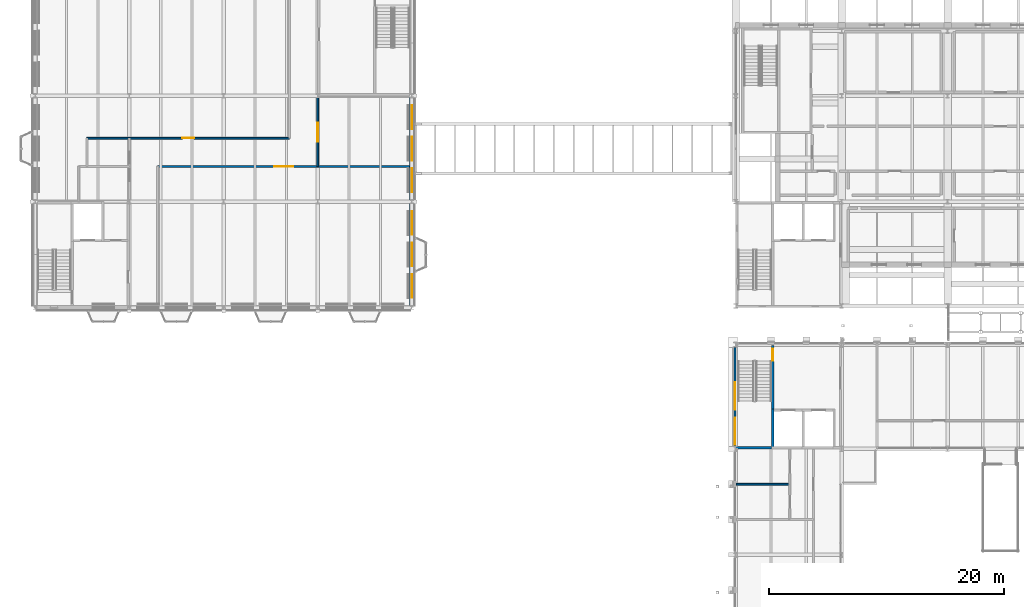
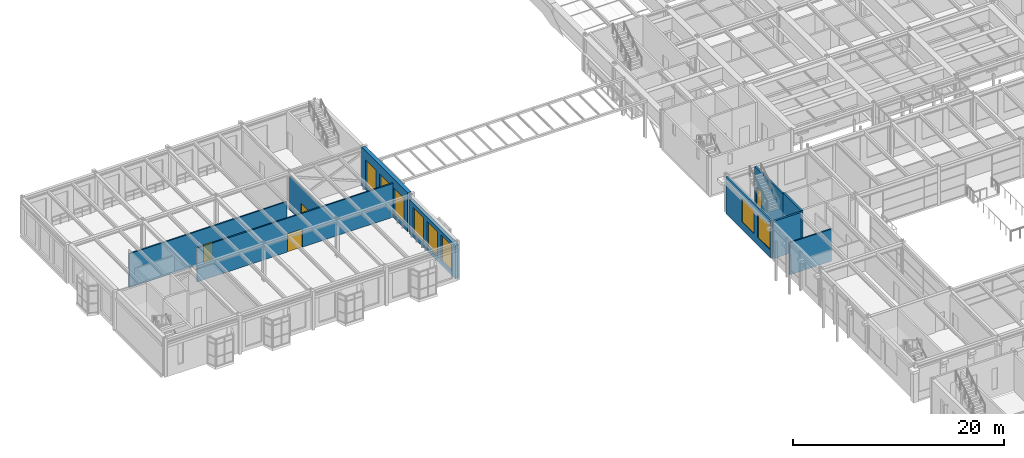
# One storey, part 100 of 153: 10 walls, 8 windows, 4 doors, 12 openings.
"""IFC4 building model written with IfcOpenShell, lengths in metres."""

from ifc_helpers import new_model, si_unit, direction, frame, frame_2d, origin, place, context, subcontext, project, spatial, rectangle, extrude, material, layer, layer_set, type_object, element, fill, save


model = new_model("IFC4")

# Units and contexts
model_context = context("Model", 3, precision=1e-05, world=origin(), true_north=direction((0.0, 1.0)))
body_context = subcontext(model_context, "Body", "Model", "MODEL_VIEW")
ifc_project = project(units=[si_unit("LENGTHUNIT", "METRE"), si_unit("AREAUNIT", "SQUARE_METRE"), si_unit("VOLUMEUNIT", "CUBIC_METRE"), si_unit("PLANEANGLEUNIT", "RADIAN"), si_unit("MASSUNIT", "GRAM", prefix="KILO")], contexts=[model_context])

# Site, building, storey
site_placement = place(None, origin())
site = spatial("IfcSite", under=ifc_project, at=site_placement, CompositionType="ELEMENT")
building_placement = place(site_placement, origin())
building = spatial("IfcBuilding", under=site, at=building_placement, Name="Kallimachos Central Library", CompositionType="ELEMENT")
storey_placement = place(building_placement, frame((0.0, 0.0, 5.39990234375)))
storey = spatial("IfcBuildingStorey", under=building, at=storey_placement, Name="L01", CompositionType="ELEMENT", Elevation=5.39990234375)

# Walls
ifc_material_1 = material(Name="Concrete C30/37", Category="concrete")
ifc_layer_1 = layer(ifc_material_1, 0.199951171875)
ifc_layer_set_1 = layer_set([ifc_layer_1], Name="Lift shaft wall 200")
wall_type_1 = type_object("IfcWallType", Name="Lift shaft wall 200", PredefinedType="SOLIDWALL", material=ifc_layer_set_1)
wall_1_placement = place(storey_placement, frame((68.64990234375, 75.0, 0.0), z_axis=(0.0, 0.0, 1.0), x_axis=(0.0, 1.0, 0.0)))
element("IfcWall", 1, at=wall_1_placement, inside=storey, type_object=wall_type_1, Name="V4-WAL-L01-003", PredefinedType="SOLIDWALL", context=body_context, shape_type="SweptSolid", body=[
    extrude(rectangle(XDim=3.39990234375, YDim=0.199951171875, at=frame_2d((1.699951171875, 0.0))), origin(), (0.0, 0.0, 1.0), 4.5),
])
ifc_material_2 = material(Name="Gypsum board on steel studs", Category="steel")
ifc_layer_2 = layer(ifc_material_2, 0.14990234375)
ifc_layer_set_2 = layer_set([ifc_layer_2], Name="Partition wall 150")
wall_type_2 = type_object("IfcWallType", Name="Partition wall 150", PredefinedType="PARTITIONING", material=ifc_layer_set_2)
wall_2_placement = place(storey_placement, frame((65.550048828125, 72.0, 0.0), z_axis=(0.0, 0.0, 1.0), x_axis=(1.0, 0.0, 0.0)))
element("IfcWall", 2, at=wall_2_placement, inside=storey, type_object=wall_type_2, Name="L01 partition", PredefinedType="PARTITIONING", context=body_context, shape_type="SweptSolid", body=[
    extrude(rectangle(XDim=4.550048828125, YDim=0.14990234375, at=frame_2d((2.27490234375, 0.0))), origin(), (0.0, 0.0, 1.0), 3.7001953125),
])

# Wall, opening, door
wall_3_placement = place(storey_placement, frame((10.39990234375, 101.39990234375, 0.0), z_axis=(0.0, 0.0, 1.0), x_axis=(1.0, 0.0, 0.0)))
wall_3 = element("IfcWall", 3, at=wall_3_placement, inside=storey, type_object=wall_type_2, Name="Partition L01", PredefinedType="PARTITIONING", context=body_context, shape_type="SweptSolid", body=[
    extrude(rectangle(XDim=17.2001953125, YDim=0.14990234375, at=frame_2d((8.60009765625, 0.0))), origin(), (0.0, 0.0, 1.0), 3.91015625),
])
opening_1_placement = place(wall_3_placement, frame((8.110107421875, 0.0, 0.0)))
opening_1 = element("IfcOpeningElement", 4, at=opening_1_placement, cuts=wall_3, Name="Opening D304", PredefinedType="OPENING", context=body_context, shape_type="SweptSolid", body=[
    extrude(rectangle(XDim=1.0, YDim=2.10009765625, at=frame_2d((0.5, 1.050048828125))), frame((0.0, 0.0849609375, 0.0), z_axis=(0.0, -1.0, 0.0), x_axis=(1.0, 0.0, 0.0)), (0.0, 0.0, 1.0), 0.169921875),
])
ifc_material_3 = material(Name="Timber", Category="wood")
door_type_1 = type_object("IfcDoorType", Name="Single leaf door 1000 x 2100, EI2 30", OperationType="NOTDEFINED", PredefinedType="DOOR", material=ifc_material_3)
door_1_placement = place(opening_1_placement, frame((1.0, 0.0, 0.0), z_axis=(0.0, 0.0, 1.0), x_axis=(-1.0, 0.0, 0.0)))
door_1 = element("IfcDoor", 5, at=door_1_placement, inside=storey, type_object=door_type_1, Name="Door to Picture Book Stacks", OperationType="SINGLE_SWING_LEFT", OverallHeight=2.10009765625, OverallWidth=1.0, PredefinedType="DOOR", context=body_context, shape_type="SweptSolid", body=[
    extrude(rectangle(XDim=1.0, YDim=2.10009765625, at=frame_2d((0.5, 1.050048828125))), frame((0.0, 0.02490234375, 0.0), z_axis=(0.0, -1.0, 0.0), x_axis=(1.0, 0.0, 0.0)), (0.0, 0.0, 1.0), 0.050048828125),
])
fill(opening_1, door_1)

wall_4_placement = place(storey_placement, frame((16.39990234375, 99.0, 0.0), z_axis=(0.0, 0.0, 1.0), x_axis=(1.0, 0.0, 0.0)))
wall_4 = element("IfcWall", 6, at=wall_4_placement, inside=storey, type_object=wall_type_2, Name="Partition L01", PredefinedType="PARTITIONING", context=body_context, shape_type="SweptSolid", body=[
    extrude(rectangle(XDim=21.400146484375, YDim=0.14990234375, at=frame_2d((10.7001953125, 0.0))), origin(), (0.0, 0.0, 1.0), 3.91015625),
])
opening_2_placement = place(wall_4_placement, frame((9.89990234375, 0.0, 0.0)))
opening_2 = element("IfcOpeningElement", 7, at=opening_2_placement, cuts=wall_4, Name="Opening D303", PredefinedType="OPENING", context=body_context, shape_type="SweptSolid", body=[
    extrude(rectangle(XDim=1.60009765625, YDim=2.10009765625, at=frame_2d((0.800048828125, 1.050048828125))), frame((0.0, 0.0849609375, 0.0), z_axis=(0.0, -1.0, 0.0), x_axis=(1.0, 0.0, 0.0)), (0.0, 0.0, 1.0), 0.169921875),
])
ifc_material_4 = material(Name="Timber door", Category="wood")
door_type_2 = type_object("IfcDoorType", Name="Double leaf door 1600 x 2100", OperationType="DOUBLE_DOOR_SINGLE_SWING", PredefinedType="DOOR", material=ifc_material_4)
door_2_placement = place(opening_2_placement, origin())
door_2 = element("IfcDoor", 8, at=door_2_placement, inside=storey, type_object=door_type_2, Name="Door to Story Hall", OperationType="DOUBLE_DOOR_SINGLE_SWING", OverallHeight=2.10009765625, OverallWidth=1.60009765625, PredefinedType="DOOR", context=body_context, shape_type="SweptSolid", body=[
    extrude(rectangle(XDim=1.60009765625, YDim=2.10009765625, at=frame_2d((0.800048828125, 1.050048828125))), frame((0.0, 0.02490234375, 0.0), z_axis=(0.0, -1.0, 0.0), x_axis=(1.0, 0.0, 0.0)), (0.0, 0.0, 1.0), 0.050048828125),
])
fill(opening_2, door_2)

wall_5_placement = place(storey_placement, frame((30.0, 99.0, 0.0), z_axis=(0.0, 0.0, 1.0), x_axis=(0.0, 1.0, 0.0)))
wall_5 = element("IfcWall", 9, at=wall_5_placement, inside=storey, type_object=wall_type_2, Name="Partition L01", PredefinedType="PARTITIONING", context=body_context, shape_type="SweptSolid", body=[
    extrude(rectangle(XDim=5.85009765625, YDim=0.14990234375, at=frame_2d((2.925048828125, 0.0))), origin(), (0.0, 0.0, 1.0), 3.91015625),
])
opening_3_placement = place(wall_5_placement, frame((2.10009765625, 0.0, 0.0)))
opening_3 = element("IfcOpeningElement", 10, at=opening_3_placement, cuts=wall_5, Name="Opening D305", PredefinedType="OPENING", context=body_context, shape_type="SweptSolid", body=[
    extrude(rectangle(XDim=1.60009765625, YDim=2.10009765625, at=frame_2d((0.800048828125, 1.050048828125))), frame((0.0, 0.0849609375, 0.0), z_axis=(0.0, -1.0, 0.0), x_axis=(1.0, 0.0, 0.0)), (0.0, 0.0, 1.0), 0.169921875),
])
door_3_placement = place(opening_3_placement, origin())
door_3 = element("IfcDoor", 11, at=door_3_placement, inside=storey, type_object=door_type_2, Name="Door to Children's Reading Room 3", OperationType="DOUBLE_DOOR_SINGLE_SWING", OverallHeight=2.10009765625, OverallWidth=1.60009765625, PredefinedType="DOOR", context=body_context, shape_type="SweptSolid", body=[
    extrude(rectangle(XDim=1.60009765625, YDim=2.10009765625, at=frame_2d((0.800048828125, 1.050048828125))), frame((0.0, 0.02490234375, 0.0), z_axis=(0.0, -1.0, 0.0), x_axis=(1.0, 0.0, 0.0)), (0.0, 0.0, 1.0), 0.050048828125),
])
fill(opening_3, door_3)

# Wall
ifc_material_5 = material(Name="Concrete C35/45", Category="concrete")
ifc_layer_3 = layer(ifc_material_5, 0.199951171875)
ifc_layer_set_3 = layer_set([ifc_layer_3], Name="Shear core wall 200, internal")
wall_type_3 = type_object("IfcWallType", Name="Shear core wall 200, internal", PredefinedType="SHEAR", material=ifc_layer_set_3)
wall_6_placement = place(storey_placement, frame((65.5, 75.10009765625, 0.0), z_axis=(0.0, 0.0, 1.0), x_axis=(1.0, 0.0, 0.0)))
element("IfcWall", 12, at=wall_6_placement, inside=storey, type_object=wall_type_3, Name="L01 core wall V4-NW S", PredefinedType="SHEAR", context=body_context, shape_type="SweptSolid", body=[
    extrude(rectangle(XDim=3.050048828125, YDim=0.199951171875, at=frame_2d((1.52490234375, 0.0))), origin(), (0.0, 0.0, 1.0), 4.300048828125),
])

# Wall, opening, door
wall_7_placement = place(storey_placement, frame((68.64990234375, 78.39990234375, 0.0), z_axis=(0.0, 0.0, 1.0), x_axis=(0.0, 1.0, 0.0)))
wall_7 = element("IfcWall", 13, at=wall_7_placement, inside=storey, type_object=wall_type_3, Name="L01 core wall V4-NW M", PredefinedType="SHEAR", context=body_context, shape_type="SweptSolid", body=[
    extrude(rectangle(XDim=5.400146484375, YDim=0.199951171875, at=frame_2d((2.7001953125, 0.0))), origin(), (0.0, 0.0, 1.0), 4.300048828125),
])
opening_4_placement = place(wall_7_placement, frame((4.10009765625, 0.0, 0.0)))
opening_4 = element("IfcOpeningElement", 14, at=opening_4_placement, cuts=wall_7, Name="Opening D152", PredefinedType="OPENING", context=body_context, shape_type="SweptSolid", body=[
    extrude(rectangle(XDim=1.0, YDim=2.10009765625, at=frame_2d((0.5, 1.050048828125))), frame((0.0, 0.10986328125, 0.0), z_axis=(0.0, -1.0, 0.0), x_axis=(1.0, 0.0, 0.0)), (0.0, 0.0, 1.0), 0.219970703125),
])
ifc_material_6 = material(Name="Timber", Category="wood")
door_type_3 = type_object("IfcDoorType", Name="Single leaf door 1000 x 2100, EI2 90", OperationType="NOTDEFINED", PredefinedType="DOOR", material=ifc_material_6)
door_4_placement = place(opening_4_placement, origin())
door_4 = element("IfcDoor", 15, at=door_4_placement, inside=storey, type_object=door_type_3, Name="L01 core door V4-NW", OperationType="SINGLE_SWING_RIGHT", OverallHeight=2.10009765625, OverallWidth=1.0, PredefinedType="DOOR", context=body_context, shape_type="SweptSolid", body=[
    extrude(rectangle(XDim=1.0, YDim=2.10009765625, at=frame_2d((0.5, 1.050048828125))), frame((0.0, 0.02490234375, 0.0), z_axis=(0.0, -1.0, 0.0), x_axis=(1.0, 0.0, 0.0)), (0.0, 0.0, 1.0), 0.050048828125),
])
fill(opening_4, door_4)

# Wall, openings, windows
ifc_material_7 = material(Name="Pentelic marble cladding on insulated brick masonry", Category="masonry")
ifc_layer_4 = layer(ifc_material_7, 0.39990234375)
ifc_layer_set_4 = layer_set([ifc_layer_4], Name="Stone cladding wall 400, unrated")
wall_type_4 = type_object("IfcWallType", Name="Stone cladding wall 400, unrated", PredefinedType="SOLIDWALL", material=ifc_layer_set_4)
wall_8_placement = place(storey_placement, frame((38.0, 87.14990234375, 0.0), z_axis=(0.0, 0.0, 1.0), x_axis=(0.0, 1.0, 0.0)))
wall_8 = element("IfcWall", 16, at=wall_8_placement, inside=storey, type_object=wall_type_4, Name="Stone wall E1 L01", PredefinedType="SOLIDWALL", context=body_context, shape_type="SweptSolid", body=[
    extrude(rectangle(XDim=8.7001953125, YDim=0.39990234375, at=frame_2d((4.35009765625, 0.0))), origin(), (0.0, 0.0, 1.0), 3.880126953125),
])
opening_5_placement = place(wall_8_placement, frame((0.675048828125, 0.0, 0.449951171875)))
opening_5 = element("IfcOpeningElement", 17, at=opening_5_placement, cuts=wall_8, Name="Opening WN246", PredefinedType="OPENING", context=body_context, shape_type="SweptSolid", body=[
    extrude(rectangle(XDim=2.0, YDim=3.0, at=frame_2d((1.0, 1.5))), frame((0.0, 0.2099609375, 0.0), z_axis=(0.0, -1.0, 0.0), x_axis=(1.0, 0.0, 0.0)), (0.0, 0.0, 1.0), 0.419921875),
])
opening_6_placement = place(wall_8_placement, frame((3.35009765625, 0.0, 0.449951171875)))
opening_6 = element("IfcOpeningElement", 18, at=opening_6_placement, cuts=wall_8, Name="Opening WN247", PredefinedType="OPENING", context=body_context, shape_type="SweptSolid", body=[
    extrude(rectangle(XDim=2.0, YDim=3.0, at=frame_2d((1.0, 1.5))), frame((0.0, 0.2099609375, 0.0), z_axis=(0.0, -1.0, 0.0), x_axis=(1.0, 0.0, 0.0)), (0.0, 0.0, 1.0), 0.419921875),
])
opening_7_placement = place(wall_8_placement, frame((6.02490234375, 0.0, 0.449951171875)))
opening_7 = element("IfcOpeningElement", 19, at=opening_7_placement, cuts=wall_8, Name="Opening WN248", PredefinedType="OPENING", context=body_context, shape_type="SweptSolid", body=[
    extrude(rectangle(XDim=2.0, YDim=3.0, at=frame_2d((1.0, 1.5))), frame((0.0, 0.2099609375, 0.0), z_axis=(0.0, -1.0, 0.0), x_axis=(1.0, 0.0, 0.0)), (0.0, 0.0, 1.0), 0.419921875),
])
ifc_material_8 = material(Name="Laminated safety glass in painted steel frame", Category="steel")
window_type_1 = type_object("IfcWindowType", Name="Window 2000 x 3000", PartitioningType="SINGLE_PANEL", PredefinedType="WINDOW", material=ifc_material_8)
window_1_placement = place(opening_5_placement, origin())
window_1 = element("IfcWindow", 20, at=window_1_placement, inside=storey, type_object=window_type_1, Name="V2-WIN-L01-029", OverallHeight=3.0, OverallWidth=2.0, PartitioningType="SINGLE_PANEL", PredefinedType="WINDOW", context=body_context, shape_type="SweptSolid", body=[
    extrude(rectangle(XDim=2.0, YDim=3.0, at=frame_2d((1.0, 1.5))), frame((0.0, 0.030029296875, 0.0), z_axis=(0.0, -1.0, 0.0), x_axis=(1.0, 0.0, 0.0)), (0.0, 0.0, 1.0), 0.06005859375),
])
fill(opening_5, window_1)
window_2_placement = place(opening_6_placement, origin())
window_2 = element("IfcWindow", 21, at=window_2_placement, inside=storey, type_object=window_type_1, Name="V2-WIN-L01-030", OverallHeight=3.0, OverallWidth=2.0, PartitioningType="SINGLE_PANEL", PredefinedType="WINDOW", context=body_context, shape_type="SweptSolid", body=[
    extrude(rectangle(XDim=2.0, YDim=3.0, at=frame_2d((1.0, 1.5))), frame((0.0, 0.030029296875, 0.0), z_axis=(0.0, -1.0, 0.0), x_axis=(1.0, 0.0, 0.0)), (0.0, 0.0, 1.0), 0.06005859375),
])
fill(opening_6, window_2)
window_3_placement = place(opening_7_placement, origin())
window_3 = element("IfcWindow", 22, at=window_3_placement, inside=storey, type_object=window_type_1, Name="V2-WIN-L01-031", OverallHeight=3.0, OverallWidth=2.0, PartitioningType="SINGLE_PANEL", PredefinedType="WINDOW", context=body_context, shape_type="SweptSolid", body=[
    extrude(rectangle(XDim=2.0, YDim=3.0, at=frame_2d((1.0, 1.5))), frame((0.0, 0.030029296875, 0.0), z_axis=(0.0, -1.0, 0.0), x_axis=(1.0, 0.0, 0.0)), (0.0, 0.0, 1.0), 0.06005859375),
])
fill(opening_7, window_3)

ifc_material_9 = material(Name="Pentelic marble cladding on insulated brick masonry", Category="masonry")
ifc_layer_5 = layer(ifc_material_9, 0.39990234375)
ifc_layer_set_5 = layer_set([ifc_layer_5], Name="Stone cladding wall 400, unrated, load-bearing")
wall_type_5 = type_object("IfcWallType", Name="Stone cladding wall 400, unrated, load-bearing", PredefinedType="SOLIDWALL", material=ifc_layer_set_5)
wall_9_placement = place(storey_placement, frame((38.0, 96.14990234375, 0.0), z_axis=(0.0, 0.0, 1.0), x_axis=(0.0, 1.0, 0.0)))
wall_9 = element("IfcWall", 23, at=wall_9_placement, inside=storey, type_object=wall_type_5, Name="Stone wall E2 L01", PredefinedType="SOLIDWALL", context=body_context, shape_type="SweptSolid", body=[
    extrude(rectangle(XDim=8.7001953125, YDim=0.39990234375, at=frame_2d((4.35009765625, 0.0))), origin(), (0.0, 0.0, 1.0), 4.5),
])
opening_8_placement = place(wall_9_placement, frame((0.675048828125, 0.0, 0.449951171875)))
opening_8 = element("IfcOpeningElement", 24, at=opening_8_placement, cuts=wall_9, Name="Opening WN254", PredefinedType="OPENING", context=body_context, shape_type="SweptSolid", body=[
    extrude(rectangle(XDim=2.0, YDim=3.0, at=frame_2d((1.0, 1.5))), frame((0.0, 0.2099609375, 0.0), z_axis=(0.0, -1.0, 0.0), x_axis=(1.0, 0.0, 0.0)), (0.0, 0.0, 1.0), 0.419921875),
])
opening_9_placement = place(wall_9_placement, frame((3.35009765625, 0.0, 0.449951171875)))
opening_9 = element("IfcOpeningElement", 25, at=opening_9_placement, cuts=wall_9, Name="Opening WN255", PredefinedType="OPENING", context=body_context, shape_type="SweptSolid", body=[
    extrude(rectangle(XDim=2.0, YDim=3.0, at=frame_2d((1.0, 1.5))), frame((0.0, 0.2099609375, 0.0), z_axis=(0.0, -1.0, 0.0), x_axis=(1.0, 0.0, 0.0)), (0.0, 0.0, 1.0), 0.419921875),
])
opening_10_placement = place(wall_9_placement, frame((6.02490234375, 0.0, 0.449951171875)))
opening_10 = element("IfcOpeningElement", 26, at=opening_10_placement, cuts=wall_9, Name="Opening WN256", PredefinedType="OPENING", context=body_context, shape_type="SweptSolid", body=[
    extrude(rectangle(XDim=2.0, YDim=3.0, at=frame_2d((1.0, 1.5))), frame((0.0, 0.2099609375, 0.0), z_axis=(0.0, -1.0, 0.0), x_axis=(1.0, 0.0, 0.0)), (0.0, 0.0, 1.0), 0.419921875),
])
window_4_placement = place(opening_8_placement, origin())
window_4 = element("IfcWindow", 27, at=window_4_placement, inside=storey, type_object=window_type_1, Name="V2-WIN-L01-032", OverallHeight=3.0, OverallWidth=2.0, PartitioningType="SINGLE_PANEL", PredefinedType="WINDOW", context=body_context, shape_type="SweptSolid", body=[
    extrude(rectangle(XDim=2.0, YDim=3.0, at=frame_2d((1.0, 1.5))), frame((0.0, 0.030029296875, 0.0), z_axis=(0.0, -1.0, 0.0), x_axis=(1.0, 0.0, 0.0)), (0.0, 0.0, 1.0), 0.06005859375),
])
fill(opening_8, window_4)
window_5_placement = place(opening_9_placement, origin())
window_5 = element("IfcWindow", 28, at=window_5_placement, inside=storey, type_object=window_type_1, Name="V2-WIN-L01-033", OverallHeight=3.0, OverallWidth=2.0, PartitioningType="SINGLE_PANEL", PredefinedType="WINDOW", context=body_context, shape_type="SweptSolid", body=[
    extrude(rectangle(XDim=2.0, YDim=3.0, at=frame_2d((1.0, 1.5))), frame((0.0, 0.030029296875, 0.0), z_axis=(0.0, -1.0, 0.0), x_axis=(1.0, 0.0, 0.0)), (0.0, 0.0, 1.0), 0.06005859375),
])
fill(opening_9, window_5)
window_6_placement = place(opening_10_placement, origin())
window_6 = element("IfcWindow", 29, at=window_6_placement, inside=storey, type_object=window_type_1, Name="V2-WIN-L01-034", OverallHeight=3.0, OverallWidth=2.0, PartitioningType="SINGLE_PANEL", PredefinedType="WINDOW", context=body_context, shape_type="SweptSolid", body=[
    extrude(rectangle(XDim=2.0, YDim=3.0, at=frame_2d((1.0, 1.5))), frame((0.0, 0.030029296875, 0.0), z_axis=(0.0, -1.0, 0.0), x_axis=(1.0, 0.0, 0.0)), (0.0, 0.0, 1.0), 0.06005859375),
])
fill(opening_10, window_6)

ifc_material_10 = material(Name="Brick masonry with Pentelic marble cladding", Category="masonry")
ifc_layer_6 = layer(ifc_material_10, 0.199951171875)
ifc_layer_set_6 = layer_set([ifc_layer_6], Name="Stone-clad masonry wall 200, load-bearing, EI 120")
wall_type_6 = type_object("IfcWallType", Name="Stone-clad masonry wall 200, load-bearing, EI 120", PredefinedType="SOLIDWALL", material=ifc_layer_set_6)
wall_10_placement = place(storey_placement, frame((65.446533203125, 75.216064453125, 0.0), z_axis=(0.0, 0.0, 1.0), x_axis=(0.0, 1.0, 0.0)))
wall_10 = element("IfcWall", 30, at=wall_10_placement, inside=storey, type_object=wall_type_6, Name="V4-WAL-L01-028", PredefinedType="SOLIDWALL", context=body_context, shape_type="SweptSolid", body=[
    extrude(rectangle(XDim=8.41796875, YDim=0.199951171875, at=frame_2d((4.208984375, 0.0))), origin(), (0.0, 0.0, 1.0), 4.300048828125),
])
opening_11_placement = place(wall_10_placement, frame((0.134033203125, 0.0, 0.89990234375)))
opening_11 = element("IfcOpeningElement", 31, at=opening_11_placement, cuts=wall_10, Name="Opening WN268", PredefinedType="OPENING", context=body_context, shape_type="SweptSolid", body=[
    extrude(rectangle(XDim=2.300048828125, YDim=2.699951171875, at=frame_2d((1.14990234375, 1.35009765625))), frame((0.0, 0.10986328125, 0.0), z_axis=(0.0, -1.0, 0.0), x_axis=(1.0, 0.0, 0.0)), (0.0, 0.0, 1.0), 0.219970703125),
])
opening_12_placement = place(wall_10_placement, frame((3.134033203125, 0.0, 0.89990234375)))
opening_12 = element("IfcOpeningElement", 32, at=opening_12_placement, cuts=wall_10, Name="Opening WN268", PredefinedType="OPENING", context=body_context, shape_type="SweptSolid", body=[
    extrude(rectangle(XDim=2.300048828125, YDim=2.699951171875, at=frame_2d((1.14990234375, 1.35009765625))), frame((0.0, 0.10986328125, 0.0), z_axis=(0.0, -1.0, 0.0), x_axis=(1.0, 0.0, 0.0)), (0.0, 0.0, 1.0), 0.219970703125),
])
ifc_material_11 = material(Name="Anodised aluminium and laminated glass", Category="aluminium")
window_type_2 = type_object("IfcWindowType", Name="Window 2300 x 2700, EI 120", PartitioningType="DOUBLE_PANEL_VERTICAL", PredefinedType="WINDOW", material=ifc_material_11)
window_7_placement = place(opening_11_placement, origin())
window_7 = element("IfcWindow", 33, at=window_7_placement, inside=storey, type_object=window_type_2, Name="V4-WIN-L01-038", OverallHeight=2.699951171875, OverallWidth=2.300048828125, PartitioningType="SINGLE_PANEL", PredefinedType="WINDOW", context=body_context, shape_type="SweptSolid", body=[
    extrude(rectangle(XDim=2.300048828125, YDim=2.699951171875, at=frame_2d((1.14990234375, 1.35009765625))), frame((0.0, 0.030029296875, 0.0), z_axis=(0.0, -1.0, 0.0), x_axis=(1.0, 0.0, 0.0)), (0.0, 0.0, 1.0), 0.06005859375),
])
fill(opening_11, window_7)
window_8_placement = place(opening_12_placement, origin())
window_8 = element("IfcWindow", 34, at=window_8_placement, inside=storey, type_object=window_type_2, Name="V4-WIN-L01-039", OverallHeight=2.699951171875, OverallWidth=2.300048828125, PartitioningType="SINGLE_PANEL", PredefinedType="WINDOW", context=body_context, shape_type="SweptSolid", body=[
    extrude(rectangle(XDim=2.300048828125, YDim=2.699951171875, at=frame_2d((1.14990234375, 1.35009765625))), frame((0.0, 0.030029296875, 0.0), z_axis=(0.0, -1.0, 0.0), x_axis=(1.0, 0.0, 0.0)), (0.0, 0.0, 1.0), 0.06005859375),
])
fill(opening_12, window_8)

save(model, "model.ifc")
